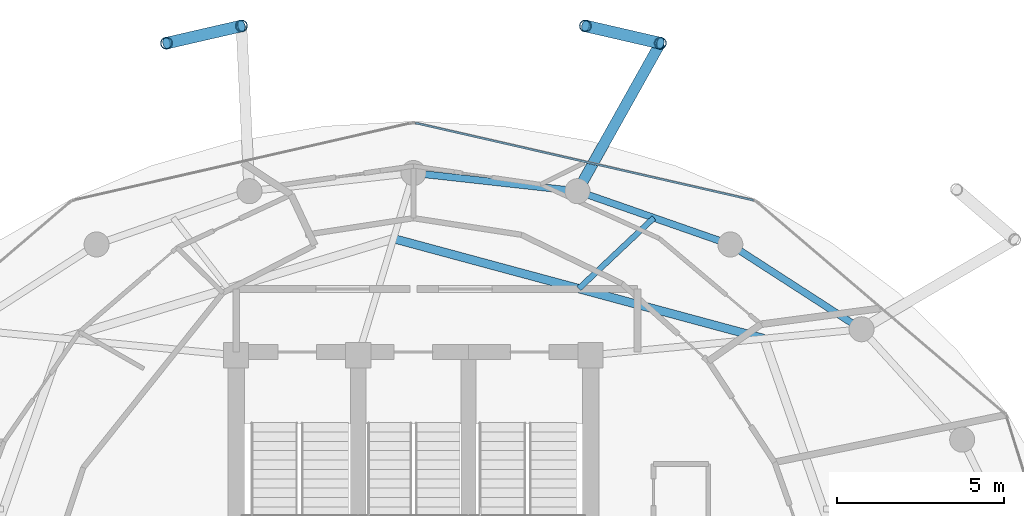
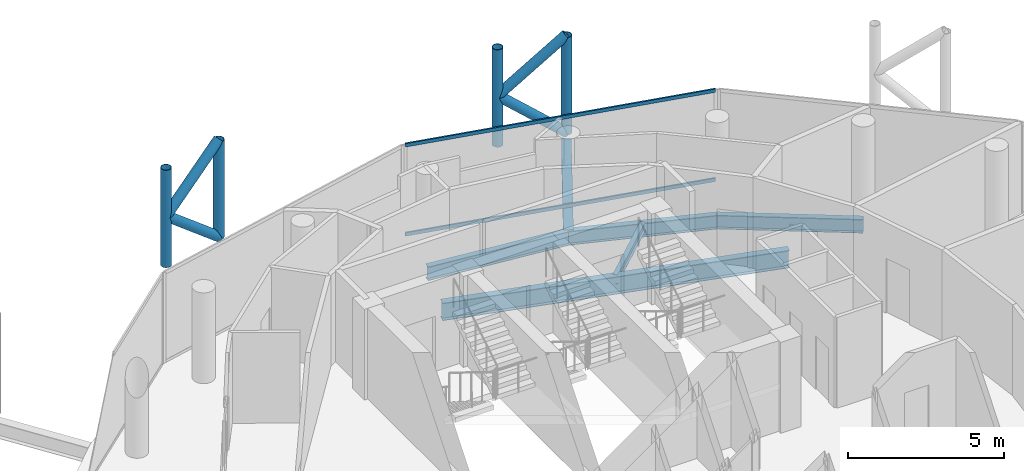
# One storey, part 17 of 24: 10 members, 6 beams, 1 element without a shape of its own.
"""IFC4 building model written with IfcOpenShell, lengths in metres."""

from ifc_helpers import new_model, si_unit, direction, frame, origin, origin_2d, place, context, subcontext, project, spatial, hollow_rectangle, hollow_circle, i_section, extrude, material, layer, layer_set, material_profile, profile_set, type_object, element, aggregate, save


model = new_model("IFC4")

# Units and contexts
model_context = context("Model", 3, precision=1e-05, world=origin(), true_north=direction((0.0, 1.0)))
body_context = subcontext(model_context, "Body", "Model", "MODEL_VIEW")
ifc_project = project(units=[si_unit("LENGTHUNIT", "METRE"), si_unit("AREAUNIT", "SQUARE_METRE"), si_unit("VOLUMEUNIT", "CUBIC_METRE"), si_unit("PLANEANGLEUNIT", "RADIAN"), si_unit("MASSUNIT", "GRAM", prefix="KILO")], contexts=[model_context])

# Site, building, storey
site_placement = place(None, origin())
site = spatial("IfcSite", under=ifc_project, at=site_placement, CompositionType="ELEMENT")
building_placement = place(site_placement, origin())
building = spatial("IfcBuilding", under=site, at=building_placement, Name="Nuhasar Tower", CompositionType="ELEMENT")
storey_placement = place(building_placement, frame((0.0, 0.0, 263.199951171875)))
storey = spatial("IfcBuildingStorey", under=building, at=storey_placement, Name="L65", CompositionType="ELEMENT", Elevation=263.199951171875)

# Beams
ifc_material_1 = material(Name="Steel S355", Category="steel")
ifc_material_profile_1 = material_profile(ifc_material_1, i_section(OverallWidth=0.25390625, OverallDepth=0.68408203125, WebThickness=0.012451171875, FlangeThickness=0.018798828125, at=origin_2d()), Name="W27X94")
ifc_profile_set_1 = profile_set([ifc_material_profile_1], Name="Steel S355")
beam_type_1 = type_object("IfcBeamType", Name="BM-INRING-W27X94", PredefinedType="BEAM", material=ifc_profile_set_1)
beam_1_placement = place(storey_placement, frame((49.48388671875, 37.798095703125, -0.60205078125), z_axis=(-0.965451835482, 0.260581567584, 0.0), x_axis=(-0.260581567584, -0.965451835482, 0.0)))
element("IfcBeam", 1, at=beam_1_placement, inside=storey, type_object=beam_type_1, Name="L65 Inner Header Beam 05", PredefinedType="BEAM", context=body_context, shape_type="SweptSolid", body=[
    extrude(i_section(OverallWidth=0.25390625, OverallDepth=0.68408203125, WebThickness=0.012451171875, FlangeThickness=0.018798828125, at=origin_2d()), origin(), (0.0, 0.0, 1.0), 11.474365234375),
])
ifc_material_profile_2 = material_profile(ifc_material_1, i_section(OverallWidth=0.1708984375, OverallDepth=0.35205078125, WebThickness=0.0068359375, FlangeThickness=0.009765625, at=origin_2d()), Name="W14X30")
ifc_profile_set_2 = profile_set([ifc_material_profile_2], Name="Steel S355")
beam_type_2 = type_object("IfcBeamType", Name="BM-JST-W14X30", PredefinedType="JOIST", material=ifc_profile_set_2)
beam_2_placement = place(storey_placement, frame((43.945068359375, 39.29296875, -0.43603515625), z_axis=(0.727532985224, 0.686072704173, 0.0), x_axis=(-0.686072704173, 0.727532985224, 0.0)))
element("IfcBeam", 2, at=beam_2_placement, inside=storey, type_object=beam_type_2, Name="L65 Secondary Floor Joist 05", PredefinedType="JOIST", context=body_context, shape_type="SweptSolid", body=[
    extrude(i_section(OverallWidth=0.1708984375, OverallDepth=0.35205078125, WebThickness=0.0068359375, FlangeThickness=0.009765625, at=origin_2d()), origin(), (0.0, 0.0, 1.0), 3.085693359375),
])
ifc_material_profile_3 = material_profile(ifc_material_1, i_section(OverallWidth=0.2099609375, OverallDepth=0.537109375, WebThickness=0.010986328125, FlangeThickness=0.017333984375, at=origin_2d()), Name="W21X68")
ifc_profile_set_3 = profile_set([ifc_material_profile_3], Name="Steel S355")
beam_type_3 = type_object("IfcBeamType", Name="BM-RING-W21X68", PredefinedType="SPANDREL", material=ifc_profile_set_3)
beam_3_placement = place(storey_placement, frame((52.39990234375, 38.077880859375, -0.529052734375), z_axis=(-0.840001671147, 0.54258381147, 0.0), x_axis=(-0.54258381147, -0.840001671147, 0.0)))
element("IfcBeam", 3, at=beam_3_placement, inside=storey, type_object=beam_type_3, Name="L65 Perimeter Ring Spandrel 04", PredefinedType="SPANDREL", context=body_context, shape_type="SweptSolid", body=[
    extrude(i_section(OverallWidth=0.2099609375, OverallDepth=0.537109375, WebThickness=0.010986328125, FlangeThickness=0.017333984375, at=origin_2d()), origin(), (0.0, 0.0, 1.0), 4.67236328125),
])
beam_4_placement = place(storey_placement, frame((48.47509765625, 40.613037109375, -0.529052734375), z_axis=(-0.944214043504, 0.329332415729, 0.0), x_axis=(-0.329332415729, -0.944214043504, 0.0)))
element("IfcBeam", 4, at=beam_4_placement, inside=storey, type_object=beam_type_3, Name="L65 Perimeter Ring Spandrel 05", PredefinedType="SPANDREL", context=body_context, shape_type="SweptSolid", body=[
    extrude(i_section(OverallWidth=0.2099609375, OverallDepth=0.537109375, WebThickness=0.010986328125, FlangeThickness=0.017333984375, at=origin_2d()), origin(), (0.0, 0.0, 1.0), 4.840087890625),
])
beam_5_placement = place(storey_placement, frame((43.905029296875, 42.20703125, -0.529052734375), z_axis=(-0.99392889943, 0.110024283128, 0.0), x_axis=(-0.110024283128, -0.99392889943, 0.0)))
element("IfcBeam", 5, at=beam_5_placement, inside=storey, type_object=beam_type_3, Name="L65 Perimeter Ring Spandrel 06", PredefinedType="SPANDREL", context=body_context, shape_type="SweptSolid", body=[
    extrude(i_section(OverallWidth=0.2099609375, OverallDepth=0.537109375, WebThickness=0.010986328125, FlangeThickness=0.017333984375, at=origin_2d()), origin(), (0.0, 0.0, 1.0), 4.93505859375),
])
ifc_material_profile_4 = material_profile(ifc_material_1, i_section(OverallWidth=0.323974609375, OverallDepth=0.611083984375, WebThickness=0.0126953125, FlangeThickness=0.01904296875, at=origin_2d()), Name="W24X104")
ifc_profile_set_4 = profile_set([ifc_material_profile_4], Name="Steel S355")
beam_type_4 = type_object("IfcBeamType", Name="BM-TIE-W24X104", PredefinedType="BEAM", material=ifc_profile_set_4)
beam_6_placement = place(storey_placement, frame((43.905029296875, 42.20703125, -0.56494140625), z_axis=(0.488667847762, 0.872469904675, 0.0), x_axis=(-0.872469904675, 0.488667847762, 0.0)))
element("IfcBeam", 6, at=beam_6_placement, inside=storey, type_object=beam_type_4, Name="L65 Exoskeleton Node Tie Beam 03", PredefinedType="BEAM", context=body_context, shape_type="SweptSolid", body=[
    extrude(i_section(OverallWidth=0.323974609375, OverallDepth=0.611083984375, WebThickness=0.0126953125, FlangeThickness=0.01904296875, at=origin_2d()), origin(), (0.0, 0.0, 1.0), 5.072998046875),
])

# Curtain wall, members
ifc_material_2 = material(Name="Aluminium 6063-T6", Category="aluminium")
ifc_layer = layer(ifc_material_2, 0.18994140625)
ifc_layer_set = layer_set([ifc_layer], Name="Aluminium 6063-T6")
curtain_wall_type = type_object("IfcCurtainWallType", Name="CW-Z4-PEN", PredefinedType="NOTDEFINED", material=ifc_layer_set)
curtain_wall_placement = place(storey_placement, origin())
curtain_wall = element("IfcCurtainWall", 7, at=curtain_wall_placement, inside=storey, type_object=curtain_wall_type, Name="L65 Unitised Curtain Wall 03", PredefinedType="NOTDEFINED")
ifc_material_profile_5 = material_profile(ifc_material_2, hollow_rectangle(XDim=0.06005859375, YDim=0.135009765625, WallThickness=0.00439453125, at=origin_2d()), Name="CWT-5")
ifc_profile_set_5 = profile_set([ifc_material_profile_5], Name="Aluminium 6063-T6")
member_type_1 = type_object("IfcMemberType", Name="CW-TRN-S5", PredefinedType="USERDEFINED", material=ifc_profile_set_5)
member_1_placement = place(storey_placement, frame((49.171630859375, 41.934326171875, 0.030029296875), z_axis=(-0.974843752401, 0.222889341163, 0.0), x_axis=(-0.222889341163, -0.974843752401, 0.0)))
member_1 = element("IfcMember", 8, at=member_1_placement, type_object=member_type_1, Name="CW-Z4 transom 1.1", ObjectType="TRANSOM", PredefinedType="USERDEFINED", context=body_context, shape_type="SweptSolid", body=[
    extrude(hollow_rectangle(XDim=0.06005859375, YDim=0.135009765625, WallThickness=0.00439453125, at=origin_2d()), origin(), (0.0, 0.0, 1.0), 10.3740234375),
])
member_2_placement = place(storey_placement, frame((49.171630859375, 41.934326171875, 3.510009765625), z_axis=(-0.974843752401, 0.222889341163, 0.0), x_axis=(-0.222889341163, -0.974843752401, 0.0)))
member_2 = element("IfcMember", 9, at=member_2_placement, type_object=member_type_1, Name="CW-Z4 transom 1.2", ObjectType="TRANSOM", PredefinedType="USERDEFINED", context=body_context, shape_type="SweptSolid", body=[
    extrude(hollow_rectangle(XDim=0.06005859375, YDim=0.135009765625, WallThickness=0.00439453125, at=origin_2d()), origin(), (0.0, 0.0, 1.0), 10.3740234375),
])
aggregate(curtain_wall, [member_1, member_2])

# Members
ifc_material_3 = material(Name="Steel S460", Category="steel")
ifc_material_profile_6 = material_profile(ifc_material_3, hollow_circle(Radius=0.177734375, WallThickness=0.015869140625, at=origin_2d()), Name="HSS355.6X15.9")
ifc_profile_set_6 = profile_set([ifc_material_profile_6], Name="Steel S460")
member_type_2 = type_object("IfcMemberType", Name="EXO-BRONZE-356", PredefinedType="BRACE", material=ifc_profile_set_6)
for number, where, z_axis, x_axis, name in (
    (10, (46.384033203125, 46.633056640625, 0.0), (0.0, 0.0, 1.0), (1.0, 0.0, 0.0), "L65 Exoskeleton Chord Column EC-03A"),
    (11, (44.14306640625, 47.14892578125, 0.0), (0.0, 0.0, 1.0), (1.0, 0.0, 0.0), "L65 Exoskeleton Chord Column EC-03B"),
    (12, (33.85693359375, 47.14892578125, 0.0), (0.0, 0.0, 1.0), (1.0, 0.0, 0.0), "L65 Exoskeleton Chord Column EC-04A"),
    (13, (31.615966796875, 46.633056640625, 0.0), (0.0, 0.0, 1.0), (1.0, 0.0, 0.0), "L65 Exoskeleton Chord Column EC-04B"),
):
    element("IfcMember", number, at=place(storey_placement, frame(where, z_axis=z_axis, x_axis=x_axis)), inside=storey, type_object=member_type_2, Name=name, PredefinedType="BRACE", context=body_context, shape_type="SweptSolid", body=[
        extrude(hollow_circle(Radius=0.177734375, WallThickness=0.015869140625, at=origin_2d()), origin(), (0.0, 0.0, 1.0), 3.800048828125),
    ])
member_3_placement = place(storey_placement, frame((46.384033203125, 46.633056640625, 0.0), z_axis=(-0.751232450652, 0.172933235454, 0.636980298881), x_axis=(-0.224332214284, -0.974512728308, 0.0)))
element("IfcMember", 14, at=member_3_placement, inside=storey, type_object=member_type_2, Name="L65 Bronze Diagrid Brace W1-03", PredefinedType="BRACE", context=body_context, shape_type="SweptSolid", body=[
    extrude(hollow_circle(Radius=0.177734375, WallThickness=0.015869140625, at=origin_2d()), origin(), (0.0, 0.0, 1.0), 2.983154296875),
])
member_4_placement = place(storey_placement, frame((44.14306640625, 47.14892578125, 1.900146484375), z_axis=(0.751271614502, -0.172942250947, 0.636931659663), x_axis=(0.224332214284, 0.974512728308, 0.0)))
element("IfcMember", 15, at=member_4_placement, inside=storey, type_object=member_type_2, Name="L65 Bronze Diagrid Brace W2-03", PredefinedType="BRACE", context=body_context, shape_type="SweptSolid", body=[
    extrude(hollow_circle(Radius=0.177734375, WallThickness=0.015869140625, at=origin_2d()), origin(), (0.0, 0.0, 1.0), 2.98291015625),
])
member_5_placement = place(storey_placement, frame((33.85693359375, 47.14892578125, 0.0), z_axis=(-0.751232450652, -0.172933235454, 0.636980298881), x_axis=(0.224332214284, -0.974512728308, 0.0)))
element("IfcMember", 16, at=member_5_placement, inside=storey, type_object=member_type_2, Name="L65 Bronze Diagrid Brace W1-04", PredefinedType="BRACE", context=body_context, shape_type="SweptSolid", body=[
    extrude(hollow_circle(Radius=0.177734375, WallThickness=0.015869140625, at=origin_2d()), origin(), (0.0, 0.0, 1.0), 2.983154296875),
])
member_6_placement = place(storey_placement, frame((31.615966796875, 46.633056640625, 1.900146484375), z_axis=(0.751271614502, 0.172942250947, 0.636931659663), x_axis=(-0.224332214284, 0.974512728308, 0.0)))
element("IfcMember", 17, at=member_6_placement, inside=storey, type_object=member_type_2, Name="L65 Bronze Diagrid Brace W2-04", PredefinedType="BRACE", context=body_context, shape_type="SweptSolid", body=[
    extrude(hollow_circle(Radius=0.177734375, WallThickness=0.015869140625, at=origin_2d()), origin(), (0.0, 0.0, 1.0), 2.98291015625),
])

save(model, "model.ifc")
